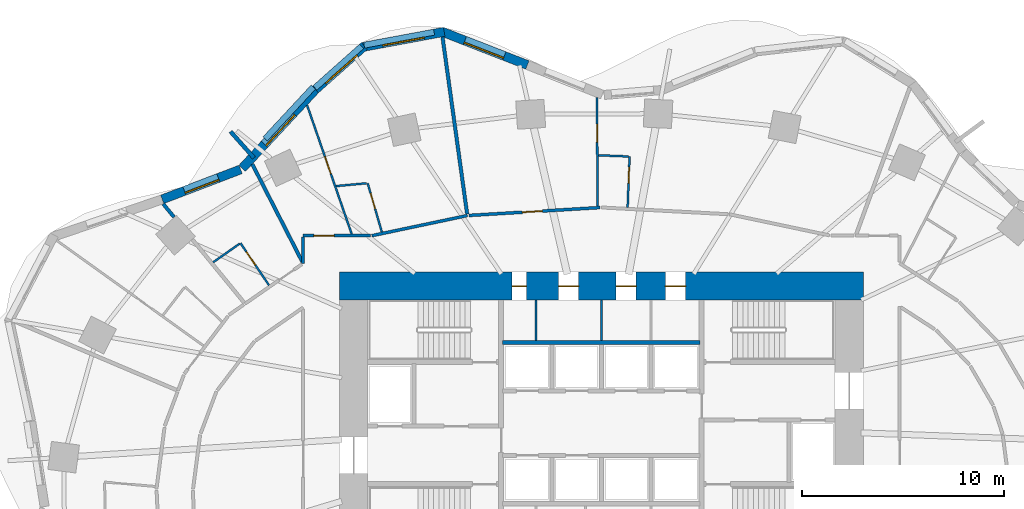
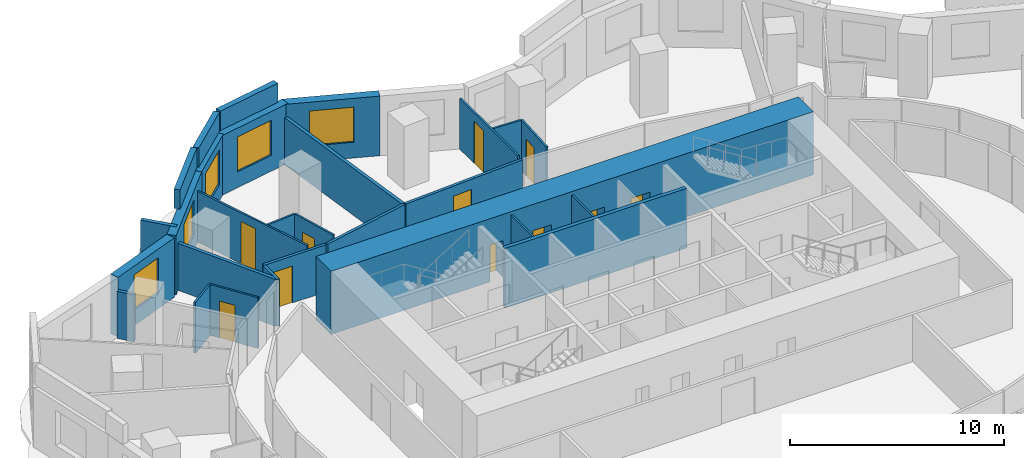
# One storey, part 8 of 11: 28 walls, 11 doors, 5 windows, 16 openings.
"""IFC4 building model written with IfcOpenShell, lengths in metres."""

import ifcopenshell
import ifcopenshell.guid

model = None  # the IFC model being written
_history = None  # IfcOwnerHistory: only IFC2X3 demands one
_inside = {}  # id of a spatial element -> (the spatial element, [elements in it])
_under = {}  # id of a project, library or spatial element -> (it, [spatial elements below it])
_declared = {}  # id of a project -> (the project, [libraries it declares])
_typed = {}  # id of a type object -> (the type object, [elements of that type])
_made_of = {}  # id of a material, layer set ... -> (it, [elements and type objects made of it])


def new_model(schema):
    """Start an empty IFC model of exactly this schema.

    Asked for "IFC4X3", IfcOpenShell would pick the latest addendum, in which some entities
    have other attributes; the version numbers below select the first issue.
    IFC2X3 requires an IfcOwnerHistory on every rooted entity: one is made here for all.
    """
    global model, _history
    if schema == "IFC4X3":
        model = ifcopenshell.file(schema_version=(4, 3, 0, 0))
    else:
        model = ifcopenshell.file(schema=schema)
    _inside.clear()
    _under.clear()
    _declared.clear()
    _typed.clear()
    _made_of.clear()
    _history = None
    if model.schema == "IFC2X3":
        org = make("IfcOrganization", Name="unknown")
        user = make(
            "IfcPersonAndOrganization",
            ThePerson=make("IfcPerson", FamilyName="unknown"),
            TheOrganization=org,
        )
        app = make(
            "IfcApplication",
            ApplicationDeveloper=org,
            Version="unknown",
            ApplicationFullName="unknown",
            ApplicationIdentifier="unknown",
        )
        _history = make(
            "IfcOwnerHistory",
            OwningUser=user,
            OwningApplication=app,
            ChangeAction="ADDED",
            CreationDate=0,
        )
    return model


def make(cls, **values):
    """One entity of the class cls with the attributes given. An attribute that is None is left unset."""
    return model.create_entity(
        cls, **{name: value for name, value in values.items() if value is not None}
    )


def rooted(cls, **values):
    """An entity with a GlobalId (a new one), such as an element, a storey or a relation."""
    return make(cls, GlobalId=ifcopenshell.guid.new(), OwnerHistory=_history, **values)


def si_unit(unit_type, name, prefix=None):
    """IfcSIUnit, for example si_unit("LENGTHUNIT", "METRE", prefix="MILLI")."""
    return make("IfcSIUnit", UnitType=unit_type, Prefix=prefix, Name=name)


def assignment(units):
    """IfcUnitAssignment: the units of a project."""
    return None if units is None else make("IfcUnitAssignment", Units=units)


def point(xyz):
    """IfcCartesianPoint."""
    return None if xyz is None else make("IfcCartesianPoint", Coordinates=xyz)


def direction(xyz):
    """IfcDirection."""
    return None if xyz is None else make("IfcDirection", DirectionRatios=xyz)


def frame(location, z_axis=None, x_axis=None):
    """IfcAxis2Placement3D, a coordinate frame: its origin and axes. An axis left out is left unset."""
    return make(
        "IfcAxis2Placement3D",
        Location=point(location),
        Axis=direction(z_axis),
        RefDirection=direction(x_axis),
    )


def frame_2d(location, x_axis=None):
    """IfcAxis2Placement2D, a coordinate frame in the plane: its origin and x axis."""
    return make(
        "IfcAxis2Placement2D", Location=point(location), RefDirection=direction(x_axis)
    )


def origin():
    """The frame at (0, 0, 0) with its axes left unset."""
    return frame((0.0, 0.0, 0.0))


def place(relative_to, where):
    """IfcLocalPlacement: puts the frame where relative to a parent placement (None: the world)."""
    return make(
        "IfcLocalPlacement", PlacementRelTo=relative_to, RelativePlacement=where
    )


def context(
    kind, dimensions, precision=None, world=None, true_north=None, identifier=None
):
    """IfcGeometricRepresentationContext, for example the 3D "Model" context."""
    return make(
        "IfcGeometricRepresentationContext",
        ContextIdentifier=identifier,
        ContextType=kind,
        CoordinateSpaceDimension=dimensions,
        Precision=precision,
        WorldCoordinateSystem=world,
        TrueNorth=true_north,
    )


def subcontext(parent, identifier, kind, view, scale=None):
    """IfcGeometricRepresentationSubContext, for example "Body" below "Model"."""
    return make(
        "IfcGeometricRepresentationSubContext",
        ContextIdentifier=identifier,
        ContextType=kind,
        ParentContext=parent,
        TargetScale=scale,
        TargetView=view,
    )


def project(units=None, contexts=None):
    """IfcProject with its units and contexts."""
    return rooted(
        "IfcProject",
        Name="project",
        RepresentationContexts=contexts,
        UnitsInContext=assignment(units),
    )


def spatial(cls, under=None, at=None, **own):
    """A site, building, storey or space (cls), placed at a placement, below another one or the project."""
    s = rooted(cls, ObjectPlacement=at, **own)
    if under is not None:
        _under.setdefault(under.id(), (under, []))[1].append(s)
    return s


def profile(cls, at=None, kind="AREA", **sizes):
    """A parametric profile (cls). Its sizes go by their IFC names, for example OverallWidth=200.0."""
    return make(cls, ProfileType=kind, Position=at, **sizes)


def rectangle(**sizes):
    """IfcRectangleProfileDef."""
    return profile("IfcRectangleProfileDef", **sizes)


def extrude(swept, where, along, depth):
    """IfcExtrudedAreaSolid: the profile swept, set in the frame where, extruded along a direction by depth."""
    return make(
        "IfcExtrudedAreaSolid",
        SweptArea=swept,
        Position=where,
        ExtrudedDirection=direction(along),
        Depth=depth,
    )


def shape(context_of_items, identifier, shape_type, items):
    """IfcShapeRepresentation: the items that make up one representation, for example the "Body"."""
    return make(
        "IfcShapeRepresentation",
        ContextOfItems=context_of_items,
        RepresentationIdentifier=identifier,
        RepresentationType=shape_type,
        Items=items,
    )


def material(Name=None, Category=None):
    """IfcMaterial."""
    return make("IfcMaterial", Name=Name, Category=Category)


def layer(
    of_material, thickness, ventilated=None, Name=None, Category=None, Priority=None
):
    """IfcMaterialLayer: one layer of a wall or slab, of a material (None: an air gap)."""
    return make(
        "IfcMaterialLayer",
        Material=of_material,
        LayerThickness=thickness,
        IsVentilated=ventilated,
        Name=Name,
        Category=Category,
        Priority=Priority,
    )


def layer_set(layers, Name=None):
    """IfcMaterialLayerSet."""
    return make("IfcMaterialLayerSet", MaterialLayers=layers, LayerSetName=Name)


def made_of(thing, what):
    """Note that an element or type object is made of a material, layer set ...; save() writes the relation."""
    if what is not None:
        _made_of.setdefault(what.id(), (what, []))[1].append(thing)
    return thing


def type_object(cls, material=None, **own):
    """A type object (cls), such as IfcWallType, which elements share."""
    return made_of(rooted(cls, **own), material)


def element(
    cls,
    number,
    at=None,
    inside=None,
    cuts=None,
    type_object=None,
    material=None,
    context=None,
    identifier="Body",
    shape_type=None,
    held_by="IfcProductDefinitionShape",
    body=None,
    shapes=None,
    **own,
):
    """One element of the class cls, such as IfcWall. Its Tag is "e" and its number.

    at: its placement. inside: the storey or other place that contains it. cuts: it is an
    opening in that element (IfcRelVoidsElement). A single representation is given by context,
    identifier, shape_type and body (its items); several are given by shapes. held_by: the class
    of the entity that holds the representations. save() writes the other relations.
    """
    e = rooted(cls, Tag="e%d" % number, ObjectPlacement=at, **own)
    if body is not None:
        shapes = [shape(context, identifier, shape_type, body)]
    if shapes is not None:
        e.Representation = make(held_by, Representations=shapes)
    if inside is not None:
        _inside.setdefault(inside.id(), (inside, []))[1].append(e)
    if cuts is not None:
        rooted(
            "IfcRelVoidsElement", RelatingBuildingElement=cuts, RelatedOpeningElement=e
        )
    if type_object is not None:
        _typed.setdefault(type_object.id(), (type_object, []))[1].append(e)
    return made_of(e, material)


def fill(opening, filler):
    """IfcRelFillsElement: the door or window that sits in an opening."""
    return rooted(
        "IfcRelFillsElement",
        RelatingOpeningElement=opening,
        RelatedBuildingElement=filler,
    )


def aggregate(whole, parts):
    """IfcRelAggregates: a whole, such as a stair, and the parts it consists of."""
    return rooted("IfcRelAggregates", RelatingObject=whole, RelatedObjects=parts)


def save(model, path):
    """Write the relations noted so far, then the file.

    IfcRelAggregates (storeys below a building ...), IfcRelContainedInSpatialStructure (elements
    in a storey), IfcRelDefinesByType, IfcRelAssociatesMaterial and IfcRelDeclares: one each for
    every whole, place, type object, material and project.
    """
    for whole, parts in _under.values():
        aggregate(whole, parts)
    for where, things in _inside.values():
        rooted(
            "IfcRelContainedInSpatialStructure",
            RelatedElements=things,
            RelatingStructure=where,
        )
    for kind, things in _typed.values():
        rooted("IfcRelDefinesByType", RelatedObjects=things, RelatingType=kind)
    for what, things in _made_of.values():
        rooted("IfcRelAssociatesMaterial", RelatedObjects=things, RelatingMaterial=what)
    for by, libraries in _declared.values():
        rooted("IfcRelDeclares", RelatingContext=by, RelatedDefinitions=libraries)
    model.write(path)


model = new_model("IFC4")

# Units and contexts
model_context = context("Model", 3, precision=1e-05, world=origin(), true_north=direction((0.0, 1.0)))
body_context = subcontext(model_context, "Body", "Model", "MODEL_VIEW")
ifc_project = project(units=[si_unit("LENGTHUNIT", "METRE"), si_unit("AREAUNIT", "SQUARE_METRE"), si_unit("VOLUMEUNIT", "CUBIC_METRE"), si_unit("PLANEANGLEUNIT", "RADIAN"), si_unit("MASSUNIT", "GRAM", prefix="KILO")], contexts=[model_context])

# Site, building, storey
site_placement = place(None, origin())
site = spatial("IfcSite", under=ifc_project, at=site_placement, CompositionType="ELEMENT")
building_placement = place(site_placement, origin())
building = spatial("IfcBuilding", under=site, at=building_placement, Name="Rubra Terraces Tower", CompositionType="ELEMENT")
storey_placement = place(building_placement, frame((0.0, 0.0, 51.89990234375)))
storey = spatial("IfcBuildingStorey", under=building, at=storey_placement, Name="L10", CompositionType="ELEMENT", Elevation=51.89990234375)

# Walls
ifc_material_1 = material(Name="Twin plasterboard on staggered steel stud, acoustic mineral wool", Category="steel")
ifc_layer_1 = layer(ifc_material_1, 0.175048828125)
ifc_layer_set_1 = layer_set([ifc_layer_1], Name="Twin plasterboard on staggered steel stud, acoustic mineral wool")
wall_type_1 = type_object("IfcWallType", Name="ACOUSTIC PARTY WALL 175", PredefinedType="PARTITIONING", material=ifc_layer_set_1)
wall_1_placement = place(storey_placement, frame((-7.88525390625, 23.66552734375, 0.0), z_axis=(0.0, 0.0, 1.0), x_axis=(0.137796980914, -0.990460494947, 0.0)))
element("IfcWall", 1, at=wall_1_placement, inside=storey, type_object=wall_type_1, Name="PARTITION", PredefinedType="PARTITIONING", context=body_context, shape_type="SweptSolid", body=[
    extrude(rectangle(XDim=8.87646484375, YDim=0.175048828125, at=frame_2d((4.438232421875, 0.0))), origin(), (0.0, 0.0, 1.0), 2.68017578125),
])
wall_2_placement = place(storey_placement, frame((-17.322021484375, 17.347412109375, 0.0), z_axis=(0.0, 0.0, 1.0), x_axis=(0.455858572344, -0.890052224322, 0.0)))
element("IfcWall", 2, at=wall_2_placement, inside=storey, type_object=wall_type_1, Name="PARTITION", PredefinedType="PARTITIONING", context=body_context, shape_type="SweptSolid", body=[
    extrude(rectangle(XDim=5.4541015625, YDim=0.175048828125, at=frame_2d((2.72705078125, 0.0))), origin(), (0.0, 0.0, 1.0), 2.68017578125),
])
wall_3_placement = place(storey_placement, frame((-21.741455078125, 15.376220703125, 0.0), z_axis=(0.0, 0.0, 1.0), x_axis=(0.633882626289, -0.773429257327, 0.0)))
element("IfcWall", 3, at=wall_3_placement, inside=storey, type_object=wall_type_1, Name="PARTITION", PredefinedType="PARTITIONING", context=body_context, shape_type="SweptSolid", body=[
    extrude(rectangle(XDim=0.844970703125, YDim=0.175048828125, at=frame_2d((0.42236328125, 0.0))), origin(), (0.0, 0.0, 1.0), 2.68017578125),
])

# Wall, opening, window
ifc_material_2 = material(Name="Brick masonry red-brown", Category="masonry")
ifc_layer_2 = layer(ifc_material_2, 0.449951171875)
ifc_layer_set_2 = layer_set([ifc_layer_2], Name="Brick masonry red-brown")
wall_type_2 = type_object("IfcWallType", Name="Brick facade wall 450", PredefinedType="SOLIDWALL", material=ifc_layer_set_2)
wall_4_placement = place(storey_placement, frame((-3.671630859375, 22.27001953125, 0.0), z_axis=(0.0, 0.0, 1.0), x_axis=(-0.931791503167, 0.36299393194, 0.0)))
wall_4 = element("IfcWall", 4, at=wall_4_placement, inside=storey, type_object=wall_type_2, Name="Facade wall L10 bay 12", PredefinedType="SOLIDWALL", context=body_context, shape_type="SweptSolid", body=[
    extrude(rectangle(XDim=4.56005859375, YDim=0.449951171875, at=frame_2d((2.280029296875, 0.0))), origin(), (0.0, 0.0, 1.0), 3.400146484375),
])
opening_1_placement = place(wall_4_placement, frame((1.22998046875, 0.0, 0.89990234375)))
opening_1 = element("IfcOpeningElement", 5, at=opening_1_placement, cuts=wall_4, Name="Opening W1", PredefinedType="OPENING", context=body_context, shape_type="SweptSolid", body=[
    extrude(rectangle(XDim=2.10009765625, YDim=2.0, at=frame_2d((1.050048828125, 1.0))), frame((0.0, 0.23486328125, 0.0), z_axis=(0.0, -1.0, 0.0), x_axis=(1.0, 0.0, 0.0)), (0.0, 0.0, 1.0), 0.469970703125),
])
ifc_material_3 = material(Name="Clear glass in aluminium frame", Category="aluminium")
window_type_1 = type_object("IfcWindowType", Name="Fixed deep-set window 2100 x 2000", PartitioningType="SINGLE_PANEL", PredefinedType="WINDOW", material=ifc_material_3)
window_1_placement = place(opening_1_placement, origin())
window_1 = element("IfcWindow", 6, at=window_1_placement, inside=storey, type_object=window_type_1, Name="Window L10 bay 12", OverallHeight=2.0, OverallWidth=2.10009765625, PartitioningType="SINGLE_PANEL", PredefinedType="WINDOW", context=body_context, shape_type="SweptSolid", body=[
    extrude(rectangle(XDim=2.10009765625, YDim=2.0, at=frame_2d((1.050048828125, 1.0))), frame((0.0, 0.135009765625, 0.0), z_axis=(0.0, -1.0, 0.0), x_axis=(1.0, 0.0, 0.0)), (0.0, 0.0, 1.0), 0.06005859375),
])
fill(opening_1, window_1)

wall_5_placement = place(storey_placement, frame((-7.80078125, 23.914794921875, 0.0), z_axis=(0.0, 0.0, 1.0), x_axis=(-0.983186467795, -0.182604407242, 0.0)))
wall_5 = element("IfcWall", 7, at=wall_5_placement, inside=storey, type_object=wall_type_2, Name="Facade wall L10 bay 13", PredefinedType="SOLIDWALL", context=body_context, shape_type="SweptSolid", body=[
    extrude(rectangle(XDim=4.140625, YDim=0.449951171875, at=frame_2d((2.0703125, 0.0))), origin(), (0.0, 0.0, 1.0), 3.400146484375),
])
opening_2_placement = place(wall_5_placement, frame((1.020263671875, 0.0, 0.89990234375)))
opening_2 = element("IfcOpeningElement", 8, at=opening_2_placement, cuts=wall_5, Name="Opening W1", PredefinedType="OPENING", context=body_context, shape_type="SweptSolid", body=[
    extrude(rectangle(XDim=2.10009765625, YDim=2.0, at=frame_2d((1.050048828125, 1.0))), frame((0.0, 0.23486328125, 0.0), z_axis=(0.0, -1.0, 0.0), x_axis=(1.0, 0.0, 0.0)), (0.0, 0.0, 1.0), 0.469970703125),
])
window_2_placement = place(opening_2_placement, origin())
window_2 = element("IfcWindow", 9, at=window_2_placement, inside=storey, type_object=window_type_1, Name="Window L10 bay 13", OverallHeight=2.0, OverallWidth=2.10009765625, PartitioningType="SINGLE_PANEL", PredefinedType="WINDOW", context=body_context, shape_type="SweptSolid", body=[
    extrude(rectangle(XDim=2.10009765625, YDim=2.0, at=frame_2d((1.050048828125, 1.0))), frame((0.0, 0.135009765625, 0.0), z_axis=(0.0, -1.0, 0.0), x_axis=(1.0, 0.0, 0.0)), (0.0, 0.0, 1.0), 0.06005859375),
])
fill(opening_2, window_2)

wall_6_placement = place(storey_placement, frame((-11.763427734375, 23.2119140625, 0.0), z_axis=(0.0, 0.0, 1.0), x_axis=(-0.74723528797, -0.664559571755, 0.0)))
wall_6 = element("IfcWall", 10, at=wall_6_placement, inside=storey, type_object=wall_type_2, Name="Facade wall L10 bay 14", PredefinedType="SOLIDWALL", context=body_context, shape_type="SweptSolid", body=[
    extrude(rectangle(XDim=3.251220703125, YDim=0.449951171875, at=frame_2d((1.62548828125, 0.0))), origin(), (0.0, 0.0, 1.0), 3.400146484375),
])
opening_3_placement = place(wall_6_placement, frame((0.57568359375, 0.0, 0.89990234375)))
opening_3 = element("IfcOpeningElement", 11, at=opening_3_placement, cuts=wall_6, Name="Opening W1", PredefinedType="OPENING", context=body_context, shape_type="SweptSolid", body=[
    extrude(rectangle(XDim=2.10009765625, YDim=2.0, at=frame_2d((1.050048828125, 1.0))), frame((0.0, 0.23486328125, 0.0), z_axis=(0.0, -1.0, 0.0), x_axis=(1.0, 0.0, 0.0)), (0.0, 0.0, 1.0), 0.469970703125),
])
window_3_placement = place(opening_3_placement, origin())
window_3 = element("IfcWindow", 12, at=window_3_placement, inside=storey, type_object=window_type_1, Name="Window L10 bay 14", OverallHeight=2.0, OverallWidth=2.10009765625, PartitioningType="SINGLE_PANEL", PredefinedType="WINDOW", context=body_context, shape_type="SweptSolid", body=[
    extrude(rectangle(XDim=2.10009765625, YDim=2.0, at=frame_2d((1.050048828125, 1.0))), frame((0.0, 0.135009765625, 0.0), z_axis=(0.0, -1.0, 0.0), x_axis=(1.0, 0.0, 0.0)), (0.0, 0.0, 1.0), 0.06005859375),
])
fill(opening_3, window_3)

wall_7_placement = place(storey_placement, frame((-14.177490234375, 21.066162109375, 0.0), z_axis=(0.0, 0.0, 1.0), x_axis=(-0.680847709714, -0.732425010617, 0.0)))
wall_7 = element("IfcWall", 13, at=wall_7_placement, inside=storey, type_object=wall_type_2, Name="Facade wall L10 bay 15", PredefinedType="SOLIDWALL", context=body_context, shape_type="SweptSolid", body=[
    extrude(rectangle(XDim=5.3583984375, YDim=0.449951171875, at=frame_2d((2.67919921875, 0.0))), origin(), (0.0, 0.0, 1.0), 3.400146484375),
])
opening_4_placement = place(wall_7_placement, frame((1.629150390625, 0.0, 0.89990234375)))
opening_4 = element("IfcOpeningElement", 14, at=opening_4_placement, cuts=wall_7, Name="Opening W1", PredefinedType="OPENING", context=body_context, shape_type="SweptSolid", body=[
    extrude(rectangle(XDim=2.10009765625, YDim=2.0, at=frame_2d((1.050048828125, 1.0))), frame((0.0, 0.23486328125, 0.0), z_axis=(0.0, -1.0, 0.0), x_axis=(1.0, 0.0, 0.0)), (0.0, 0.0, 1.0), 0.469970703125),
])
window_4_placement = place(opening_4_placement, origin())
window_4 = element("IfcWindow", 15, at=window_4_placement, inside=storey, type_object=window_type_1, Name="Window L10 bay 15", OverallHeight=2.0, OverallWidth=2.10009765625, PartitioningType="SINGLE_PANEL", PredefinedType="WINDOW", context=body_context, shape_type="SweptSolid", body=[
    extrude(rectangle(XDim=2.10009765625, YDim=2.0, at=frame_2d((1.050048828125, 1.0))), frame((0.0, 0.135009765625, 0.0), z_axis=(0.0, -1.0, 0.0), x_axis=(1.0, 0.0, 0.0)), (0.0, 0.0, 1.0), 0.06005859375),
])
fill(opening_4, window_4)

wall_8_placement = place(storey_placement, frame((-17.9033203125, 17.08740234375, 0.0), z_axis=(0.0, 0.0, 1.0), x_axis=(-0.934145554025, -0.356892258105, 0.0)))
wall_8 = element("IfcWall", 16, at=wall_8_placement, inside=storey, type_object=wall_type_2, Name="Facade wall L10 bay 16", PredefinedType="SOLIDWALL", context=body_context, shape_type="SweptSolid", body=[
    extrude(rectangle(XDim=4.16455078125, YDim=0.449951171875, at=frame_2d((2.082275390625, 0.0))), origin(), (0.0, 0.0, 1.0), 3.400146484375),
])
opening_5_placement = place(wall_8_placement, frame((1.182373046875, 0.0, 0.89990234375)))
opening_5 = element("IfcOpeningElement", 17, at=opening_5_placement, cuts=wall_8, Name="Opening W6", PredefinedType="OPENING", context=body_context, shape_type="SweptSolid", body=[
    extrude(rectangle(XDim=1.800048828125, YDim=2.0, at=frame_2d((0.89990234375, 1.0))), frame((0.0, 0.23486328125, 0.0), z_axis=(0.0, -1.0, 0.0), x_axis=(1.0, 0.0, 0.0)), (0.0, 0.0, 1.0), 0.469970703125),
])
window_type_2 = type_object("IfcWindowType", Name="Fixed deep-set window at wind fin 1800 x 2000", PartitioningType="SINGLE_PANEL", PredefinedType="WINDOW", material=ifc_material_3)
window_5_placement = place(opening_5_placement, origin())
window_5 = element("IfcWindow", 18, at=window_5_placement, inside=storey, type_object=window_type_2, Name="Window L10 bay 16", OverallHeight=2.0, OverallWidth=1.800048828125, PartitioningType="SINGLE_PANEL", PredefinedType="WINDOW", context=body_context, shape_type="SweptSolid", body=[
    extrude(rectangle(XDim=1.800048828125, YDim=2.0, at=frame_2d((0.89990234375, 1.0))), frame((0.0, 0.135009765625, 0.0), z_axis=(0.0, -1.0, 0.0), x_axis=(1.0, 0.0, 0.0)), (0.0, 0.0, 1.0), 0.06005859375),
])
fill(opening_5, window_5)

# Walls
ifc_layer_3 = layer(ifc_material_2, 0.300048828125)
ifc_layer_set_3 = layer_set([ifc_layer_3], Name="Brick masonry red-brown")
wall_type_3 = type_object("IfcWallType", Name="Brick parapet 300", PredefinedType="PARAPET", material=ifc_layer_set_3)
wall_9_placement = place(storey_placement, frame((-8.304443359375, 23.8974609375, 3.60009765625), z_axis=(0.0, 0.0, 1.0), x_axis=(-0.983203460001, -0.182512893356, 0.0)))
element("IfcWall", 19, at=wall_9_placement, inside=storey, type_object=wall_type_3, Name="Parapet L10 bay 13", PredefinedType="PARAPET", context=body_context, shape_type="SweptSolid", body=[
    extrude(rectangle(XDim=3.52880859375, YDim=0.300048828125, at=frame_2d((1.764404296875, 0.0))), origin(), (0.0, 0.0, 1.0), 1.10009765625),
])
wall_10_placement = place(storey_placement, frame((-11.898193359375, 23.1923828125, 3.60009765625), z_axis=(0.0, 0.0, 1.0), x_axis=(-0.74726596591, -0.664525075669, 0.0)))
element("IfcWall", 20, at=wall_10_placement, inside=storey, type_object=wall_type_3, Name="Parapet L10 bay 14", PredefinedType="PARAPET", context=body_context, shape_type="SweptSolid", body=[
    extrude(rectangle(XDim=3.10107421875, YDim=0.300048828125, at=frame_2d((1.550537109375, 0.0))), origin(), (0.0, 0.0, 1.0), 1.10009765625),
])
wall_11_placement = place(storey_placement, frame((-14.293212890625, 21.173583984375, 3.60009765625), z_axis=(0.0, 0.0, 1.0), x_axis=(-0.680821476217, -0.732449395877, 0.0)))
element("IfcWall", 21, at=wall_11_placement, inside=storey, type_object=wall_type_3, Name="Parapet L10 bay 15", PredefinedType="PARAPET", context=body_context, shape_type="SweptSolid", body=[
    extrude(rectangle(XDim=3.513427734375, YDim=0.300048828125, at=frame_2d((1.7568359375, 0.0))), origin(), (0.0, 0.0, 1.0), 1.10009765625),
])
ifc_layer_4 = layer(ifc_material_2, 0.199951171875)
ifc_layer_set_4 = layer_set([ifc_layer_4], Name="Brick masonry red-brown")
wall_type_4 = type_object("IfcWallType", Name="Brick wind fin 200", PredefinedType="SOLIDWALL", material=ifc_layer_set_4)
wall_12_placement = place(storey_placement, frame((-17.239990234375, 17.659912109375, 0.0), z_axis=(0.0, 0.0, 1.0), x_axis=(-0.664017424016, 0.747717099312, 0.0)))
element("IfcWall", 22, at=wall_12_placement, inside=storey, type_object=wall_type_4, Name="Wind fin L10 9", PredefinedType="SOLIDWALL", context=body_context, shape_type="SweptSolid", body=[
    extrude(rectangle(XDim=1.75, YDim=0.199951171875, at=frame_2d((0.875, 0.0))), origin(), (0.0, 0.0, 1.0), 3.400146484375),
])

# Wall, openings, doors
ifc_material_4 = material(Name="Concrete C70", Category="concrete")
ifc_layer_5 = layer(ifc_material_4, 1.39990234375)
ifc_layer_set_5 = layer_set([ifc_layer_5], Name="Concrete C70")
wall_type_5 = type_object("IfcWallType", Name="CORE WALL 1400 C70", PredefinedType="SHEAR", material=ifc_layer_set_5)
wall_13_placement = place(storey_placement, frame((-13.0, 11.300048828125, 0.0), z_axis=(0.0, 0.0, 1.0), x_axis=(1.0, 0.0, 0.0)))
wall_13 = element("IfcWall", 23, at=wall_13_placement, inside=storey, type_object=wall_type_5, Name="CORE WALL N L10", PredefinedType="SHEAR", context=body_context, shape_type="SweptSolid", body=[
    extrude(rectangle(XDim=26.0, YDim=1.39990234375, at=frame_2d((13.0, 0.0))), origin(), (0.0, 0.0, 1.0), 3.60009765625),
])
opening_6_placement = place(wall_13_placement, frame((8.574951171875, 0.0, 0.0)))
opening_6 = element("IfcOpeningElement", 24, at=opening_6_placement, cuts=wall_13, Name="Opening L10.C23", PredefinedType="OPENING", context=body_context, shape_type="SweptSolid", body=[
    extrude(rectangle(XDim=0.699951171875, YDim=2.10009765625, at=frame_2d((0.35009765625, 1.050048828125))), frame((0.0, 0.7099609375, 0.0), z_axis=(0.0, -1.0, 0.0), x_axis=(1.0, 0.0, 0.0)), (0.0, 0.0, 1.0), 1.419921875),
])
opening_7_placement = place(wall_13_placement, frame((10.875, 0.0, 0.0)))
opening_7 = element("IfcOpeningElement", 25, at=opening_7_placement, cuts=wall_13, Name="Opening L10.C24", PredefinedType="OPENING", context=body_context, shape_type="SweptSolid", body=[
    extrude(rectangle(XDim=1.0, YDim=2.10009765625, at=frame_2d((0.5, 1.050048828125))), frame((0.0, 0.7099609375, 0.0), z_axis=(0.0, -1.0, 0.0), x_axis=(1.0, 0.0, 0.0)), (0.0, 0.0, 1.0), 1.419921875),
])
opening_8_placement = place(wall_13_placement, frame((13.72509765625, 0.0, 0.0)))
opening_8 = element("IfcOpeningElement", 26, at=opening_8_placement, cuts=wall_13, Name="Opening L10.C25", PredefinedType="OPENING", context=body_context, shape_type="SweptSolid", body=[
    extrude(rectangle(XDim=1.0, YDim=2.10009765625, at=frame_2d((0.5, 1.050048828125))), frame((0.0, 0.7099609375, 0.0), z_axis=(0.0, -1.0, 0.0), x_axis=(1.0, 0.0, 0.0)), (0.0, 0.0, 1.0), 1.419921875),
])
opening_9_placement = place(wall_13_placement, frame((16.175048828125, 0.0, 0.0)))
opening_9 = element("IfcOpeningElement", 27, at=opening_9_placement, cuts=wall_13, Name="Opening L10.C26", PredefinedType="OPENING", context=body_context, shape_type="SweptSolid", body=[
    extrude(rectangle(XDim=1.0, YDim=2.10009765625, at=frame_2d((0.5, 1.050048828125))), frame((0.0, 0.7099609375, 0.0), z_axis=(0.0, -1.0, 0.0), x_axis=(1.0, 0.0, 0.0)), (0.0, 0.0, 1.0), 1.419921875),
])
ifc_material_5 = material(Name="Painted steel", Category="steel")
door_type_1 = type_object("IfcDoorType", Name="Fire door 1000x2100 single", OperationType="NOTDEFINED", PredefinedType="DOOR", material=ifc_material_5)
door_1_placement = place(opening_7_placement, origin())
door_1 = element("IfcDoor", 28, at=door_1_placement, inside=storey, type_object=door_type_1, Name="Housekeeping store door", OperationType="SINGLE_SWING_RIGHT", OverallHeight=2.10009765625, OverallWidth=1.0, PredefinedType="DOOR", context=body_context, shape_type="SweptSolid", body=[
    extrude(rectangle(XDim=1.0, YDim=2.10009765625, at=frame_2d((0.5, 1.050048828125))), frame((0.0, 0.02490234375, 0.0), z_axis=(0.0, -1.0, 0.0), x_axis=(1.0, 0.0, 0.0)), (0.0, 0.0, 1.0), 0.050048828125),
])
fill(opening_7, door_1)
door_2_placement = place(opening_8_placement, origin())
door_2 = element("IfcDoor", 29, at=door_2_placement, inside=storey, type_object=door_type_1, Name="Ice and vending room door", OperationType="SINGLE_SWING_LEFT", OverallHeight=2.10009765625, OverallWidth=1.0, PredefinedType="DOOR", context=body_context, shape_type="SweptSolid", body=[
    extrude(rectangle(XDim=1.0, YDim=2.10009765625, at=frame_2d((0.5, 1.050048828125))), frame((0.0, 0.02490234375, 0.0), z_axis=(0.0, -1.0, 0.0), x_axis=(1.0, 0.0, 0.0)), (0.0, 0.0, 1.0), 0.050048828125),
])
fill(opening_8, door_2)
door_3_placement = place(opening_9_placement, origin())
door_3 = element("IfcDoor", 30, at=door_3_placement, inside=storey, type_object=door_type_1, Name="General store door", OperationType="SINGLE_SWING_RIGHT", OverallHeight=2.10009765625, OverallWidth=1.0, PredefinedType="DOOR", context=body_context, shape_type="SweptSolid", body=[
    extrude(rectangle(XDim=1.0, YDim=2.10009765625, at=frame_2d((0.5, 1.050048828125))), frame((0.0, 0.02490234375, 0.0), z_axis=(0.0, -1.0, 0.0), x_axis=(1.0, 0.0, 0.0)), (0.0, 0.0, 1.0), 0.050048828125),
])
fill(opening_9, door_3)
door_type_2 = type_object("IfcDoorType", Name="Riser access door 700x2100 single", OperationType="NOTDEFINED", PredefinedType="DOOR", material=ifc_material_5)
door_4_placement = place(opening_6_placement, origin())
door_4 = element("IfcDoor", 31, at=door_4_placement, inside=storey, type_object=door_type_2, Name="Water and drainage riser door", OperationType="SINGLE_SWING_LEFT", OverallHeight=2.10009765625, OverallWidth=0.699951171875, PredefinedType="DOOR", context=body_context, shape_type="SweptSolid", body=[
    extrude(rectangle(XDim=0.699951171875, YDim=2.10009765625, at=frame_2d((0.35009765625, 1.050048828125))), frame((0.0, 0.02490234375, 0.0), z_axis=(0.0, -1.0, 0.0), x_axis=(1.0, 0.0, 0.0)), (0.0, 0.0, 1.0), 0.050048828125),
])
fill(opening_6, door_4)

# Wall
ifc_material_6 = material(Name="Plasterboard on steel stud, mineral wool infill", Category="steel")
ifc_layer_6 = layer(ifc_material_6, 0.14990234375)
ifc_layer_set_6 = layer_set([ifc_layer_6], Name="Plasterboard on steel stud, mineral wool infill")
wall_type_6 = type_object("IfcWallType", Name="CORRIDOR PARTITION 150", PredefinedType="PARTITIONING", material=ifc_layer_set_6)
wall_14_placement = place(storey_placement, frame((-6.65185546875, 14.799560546875, 0.0), z_axis=(0.0, 0.0, 1.0), x_axis=(-0.978460885149, -0.206432304241, 0.0)))
element("IfcWall", 32, at=wall_14_placement, inside=storey, type_object=wall_type_6, Name="PARTITION", PredefinedType="PARTITIONING", context=body_context, shape_type="SweptSolid", body=[
    extrude(rectangle(XDim=4.841796875, YDim=0.14990234375, at=frame_2d((2.4208984375, 0.0))), origin(), (0.0, 0.0, 1.0), 2.68017578125),
])

# Wall, opening, door
wall_15_placement = place(storey_placement, frame((-11.46435546875, 13.800048828125, 0.0), z_axis=(0.0, 0.0, 1.0), x_axis=(-1.0, 0.0, 0.0)))
wall_15 = element("IfcWall", 33, at=wall_15_placement, inside=storey, type_object=wall_type_6, Name="PARTITION", PredefinedType="PARTITIONING", context=body_context, shape_type="SweptSolid", body=[
    extrude(rectangle(XDim=3.335693359375, YDim=0.14990234375, at=frame_2d((1.66796875, 0.0))), origin(), (0.0, 0.0, 1.0), 2.68017578125),
])
opening_10_placement = place(wall_15_placement, frame((1.800048828125, 0.0, 0.0)))
opening_10 = element("IfcOpeningElement", 34, at=opening_10_placement, cuts=wall_15, Name="Opening 10-103", PredefinedType="OPENING", context=body_context, shape_type="SweptSolid", body=[
    extrude(rectangle(XDim=1.0, YDim=2.10009765625, at=frame_2d((0.5, 1.050048828125))), frame((0.0, 0.0849609375, 0.0), z_axis=(0.0, -1.0, 0.0), x_axis=(1.0, 0.0, 0.0)), (0.0, 0.0, 1.0), 0.169921875),
])
ifc_material_7 = material(Name="Painted timber door leaf", Category="wood")
door_type_3 = type_object("IfcDoorType", Name="ROOM DOOR 1000 X 2100", OperationType="SINGLE_SWING_LEFT", PredefinedType="DOOR", material=ifc_material_7)
door_5_placement = place(opening_10_placement, origin())
door_5 = element("IfcDoor", 35, at=door_5_placement, inside=storey, type_object=door_type_3, Name="DOOR 10-103", OperationType="SINGLE_SWING_RIGHT", OverallHeight=2.10009765625, OverallWidth=1.0, PredefinedType="DOOR", context=body_context, shape_type="SweptSolid", body=[
    extrude(rectangle(XDim=1.0, YDim=2.10009765625, at=frame_2d((0.5, 1.050048828125))), frame((0.0, 0.02490234375, 0.0), z_axis=(0.0, -1.0, 0.0), x_axis=(1.0, 0.0, 0.0)), (0.0, 0.0, 1.0), 0.050048828125),
])
fill(opening_10, door_5)

# Wall
wall_16_placement = place(storey_placement, frame((-14.800048828125, 13.72509765625, 0.0), z_axis=(0.0, 0.0, 1.0), x_axis=(-0.001127606876, -0.999999364251, 0.0)))
element("IfcWall", 36, at=wall_16_placement, inside=storey, type_object=wall_type_6, Name="PARTITION", PredefinedType="PARTITIONING", context=body_context, shape_type="SweptSolid", body=[
    extrude(rectangle(XDim=1.299072265625, YDim=0.14990234375, at=frame_2d((0.6494140625, 0.0))), origin(), (0.0, 0.0, 1.0), 2.68017578125),
])

# Wall, opening, door
wall_17_placement = place(storey_placement, frame((-0.074951171875, 15.1953125, 0.0), z_axis=(0.0, 0.0, 1.0), x_axis=(-0.998193444214, -0.060082010028, 0.0)))
wall_17 = element("IfcWall", 37, at=wall_17_placement, inside=storey, type_object=wall_type_6, Name="PARTITION", PredefinedType="PARTITIONING", context=body_context, shape_type="SweptSolid", body=[
    extrude(rectangle(XDim=6.513671875, YDim=0.14990234375, at=frame_2d((3.2568359375, 0.0))), origin(), (0.0, 0.0, 1.0), 2.68017578125),
])
opening_11_placement = place(wall_17_placement, frame((2.85888671875, 0.0, 0.0)))
opening_11 = element("IfcOpeningElement", 38, at=opening_11_placement, cuts=wall_17, Name="Opening 10-134", PredefinedType="OPENING", context=body_context, shape_type="SweptSolid", body=[
    extrude(rectangle(XDim=1.0, YDim=2.10009765625, at=frame_2d((0.5, 1.050048828125))), frame((0.0, 0.0849609375, 0.0), z_axis=(0.0, -1.0, 0.0), x_axis=(1.0, 0.0, 0.0)), (0.0, 0.0, 1.0), 0.169921875),
])
door_6_placement = place(opening_11_placement, origin())
door_6 = element("IfcDoor", 39, at=door_6_placement, inside=storey, type_object=door_type_3, Name="DOOR 10-134", OperationType="SINGLE_SWING_RIGHT", OverallHeight=2.10009765625, OverallWidth=1.0, PredefinedType="DOOR", context=body_context, shape_type="SweptSolid", body=[
    extrude(rectangle(XDim=1.0, YDim=2.10009765625, at=frame_2d((0.5, 1.050048828125))), frame((0.0, 0.02490234375, 0.0), z_axis=(0.0, -1.0, 0.0), x_axis=(1.0, 0.0, 0.0)), (0.0, 0.0, 1.0), 0.050048828125),
])
fill(opening_11, door_6)

# Wall
ifc_material_8 = material(Name="Concrete C30", Category="concrete")
ifc_layer_7 = layer(ifc_material_8, 0.199951171875)
ifc_layer_set_7 = layer_set([ifc_layer_7], Name="Concrete C30")
wall_type_7 = type_object("IfcWallType", Name="Core wall 200 concrete", PredefinedType="SOLIDWALL", material=ifc_layer_set_7)
wall_18_placement = place(storey_placement, frame((-4.89990234375, 8.5, 0.0), z_axis=(0.0, 0.0, 1.0), x_axis=(1.0, 0.0, 0.0)))
element("IfcWall", 40, at=wall_18_placement, inside=storey, type_object=wall_type_7, Name="LIFT SHAFT WALL L10", PredefinedType="SOLIDWALL", context=body_context, shape_type="SweptSolid", body=[
    extrude(rectangle(XDim=9.7998046875, YDim=0.199951171875, at=frame_2d((4.89990234375, 0.0))), origin(), (0.0, 0.0, 1.0), 3.400146484375),
])

# Wall, opening, door
ifc_material_9 = material(Name="Plasterboard on steel stud", Category="steel")
ifc_layer_8 = layer(ifc_material_9, 0.10009765625)
ifc_layer_set_8 = layer_set([ifc_layer_8], Name="Plasterboard on steel stud")
wall_type_8 = type_object("IfcWallType", Name="ROOM PARTITION 100", PredefinedType="PARTITIONING", material=ifc_layer_set_8)
wall_19_placement = place(storey_placement, frame((-14.603271484375, 20.27197265625, 0.0), z_axis=(0.0, 0.0, 1.0), x_axis=(0.327245485349, -0.94493935907, 0.0)))
wall_19 = element("IfcWall", 41, at=wall_19_placement, inside=storey, type_object=wall_type_8, Name="PARTITION", PredefinedType="PARTITIONING", context=body_context, shape_type="SweptSolid", body=[
    extrude(rectangle(XDim=6.774169921875, YDim=0.10009765625, at=frame_2d((3.38720703125, 0.0))), origin(), (0.0, 0.0, 1.0), 2.898193359375),
])
opening_12_placement = place(wall_19_placement, frame((2.698974609375, 0.0, 0.0)))
opening_12 = element("IfcOpeningElement", 42, at=opening_12_placement, cuts=wall_19, Name="Opening 10-102", PredefinedType="OPENING", context=body_context, shape_type="SweptSolid", body=[
    extrude(rectangle(XDim=0.89990234375, YDim=2.39990234375, at=frame_2d((0.449951171875, 1.199951171875))), frame((0.0, 0.06005859375, 0.0), z_axis=(0.0, -1.0, 0.0), x_axis=(1.0, 0.0, 0.0)), (0.0, 0.0, 1.0), 0.1201171875),
])
ifc_material_10 = material(Name="Veneered timber door leaf, fire-rated", Category="wood")
door_type_4 = type_object("IfcDoorType", Name="SUITE ENTRANCE DOOR 900 X 2400", OperationType="SINGLE_SWING_LEFT", PredefinedType="DOOR", material=ifc_material_10)
door_7_placement = place(opening_12_placement, origin())
door_7 = element("IfcDoor", 43, at=door_7_placement, inside=storey, type_object=door_type_4, Name="DOOR 10-102", OperationType="SINGLE_SWING_LEFT", OverallHeight=2.39990234375, OverallWidth=0.89990234375, PredefinedType="DOOR", context=body_context, shape_type="SweptSolid", body=[
    extrude(rectangle(XDim=0.89990234375, YDim=2.39990234375, at=frame_2d((0.449951171875, 1.199951171875))), frame((0.0, 0.02490234375, 0.0), z_axis=(0.0, -1.0, 0.0), x_axis=(1.0, 0.0, 0.0)), (0.0, 0.0, 1.0), 0.050048828125),
])
fill(opening_12, door_7)

wall_20_placement = place(storey_placement, frame((-10.894287109375, 13.98095703125, 0.0), z_axis=(0.0, 0.0, 1.0), x_axis=(-0.279443000738, 0.960162282814, 0.0)))
wall_20 = element("IfcWall", 44, at=wall_20_placement, inside=storey, type_object=wall_type_8, Name="PARTITION", PredefinedType="PARTITIONING", context=body_context, shape_type="SweptSolid", body=[
    extrude(rectangle(XDim=2.52490234375, YDim=0.10009765625, at=frame_2d((1.262451171875, 0.0))), origin(), (0.0, 0.0, 1.0), 2.898193359375),
])
opening_13_placement = place(wall_20_placement, frame((1.199951171875, 0.0, 0.0)))
opening_13 = element("IfcOpeningElement", 45, at=opening_13_placement, cuts=wall_20, Name="Opening 10-101", PredefinedType="OPENING", context=body_context, shape_type="SweptSolid", body=[
    extrude(rectangle(XDim=0.800048828125, YDim=2.10009765625, at=frame_2d((0.39990234375, 1.050048828125))), frame((0.0, 0.06005859375, 0.0), z_axis=(0.0, -1.0, 0.0), x_axis=(1.0, 0.0, 0.0)), (0.0, 0.0, 1.0), 0.1201171875),
])
door_type_5 = type_object("IfcDoorType", Name="BATHROOM DOOR 800 X 2100", OperationType="SINGLE_SWING_LEFT", PredefinedType="DOOR", material=ifc_material_7)
door_8_placement = place(opening_13_placement, origin())
door_8 = element("IfcDoor", 46, at=door_8_placement, inside=storey, type_object=door_type_5, Name="DOOR 10-101", OperationType="SINGLE_SWING_LEFT", OverallHeight=2.10009765625, OverallWidth=0.800048828125, PredefinedType="DOOR", context=body_context, shape_type="SweptSolid", body=[
    extrude(rectangle(XDim=0.800048828125, YDim=2.10009765625, at=frame_2d((0.39990234375, 1.050048828125))), frame((0.0, 0.02490234375, 0.0), z_axis=(0.0, -1.0, 0.0), x_axis=(1.0, 0.0, 0.0)), (0.0, 0.0, 1.0), 0.050048828125),
])
fill(opening_13, door_8)

# Wall
wall_21_placement = place(storey_placement, frame((-11.649658203125, 16.400634765625, 0.0), z_axis=(0.0, 0.0, 1.0), x_axis=(-0.995799189088, -0.091564048682, 0.0)))
element("IfcWall", 47, at=wall_21_placement, inside=storey, type_object=wall_type_8, Name="PARTITION", PredefinedType="PARTITIONING", context=body_context, shape_type="SweptSolid", body=[
    extrude(rectangle(XDim=1.519775390625, YDim=0.10009765625, at=frame_2d((0.759765625, 0.0))), origin(), (0.0, 0.0, 1.0), 2.898193359375),
])

# Wall, opening, door
wall_22_placement = place(storey_placement, frame((-16.492919921875, 11.341796875, 0.0), z_axis=(0.0, 0.0, 1.0), x_axis=(-0.560910145084, 0.827876687159, 0.0)))
wall_22 = element("IfcWall", 48, at=wall_22_placement, inside=storey, type_object=wall_type_8, Name="PARTITION", PredefinedType="PARTITIONING", context=body_context, shape_type="SweptSolid", body=[
    extrude(rectangle(XDim=2.52490234375, YDim=0.10009765625, at=frame_2d((1.262451171875, 0.0))), origin(), (0.0, 0.0, 1.0), 2.898193359375),
])
opening_14_placement = place(wall_22_placement, frame((1.199951171875, 0.0, 0.0)))
opening_14 = element("IfcOpeningElement", 49, at=opening_14_placement, cuts=wall_22, Name="Opening 10-104", PredefinedType="OPENING", context=body_context, shape_type="SweptSolid", body=[
    extrude(rectangle(XDim=0.800048828125, YDim=2.10009765625, at=frame_2d((0.39990234375, 1.050048828125))), frame((0.0, 0.06005859375, 0.0), z_axis=(0.0, -1.0, 0.0), x_axis=(1.0, 0.0, 0.0)), (0.0, 0.0, 1.0), 0.1201171875),
])
door_9_placement = place(opening_14_placement, origin())
door_9 = element("IfcDoor", 50, at=door_9_placement, inside=storey, type_object=door_type_5, Name="DOOR 10-104", OperationType="SINGLE_SWING_LEFT", OverallHeight=2.10009765625, OverallWidth=0.800048828125, PredefinedType="DOOR", context=body_context, shape_type="SweptSolid", body=[
    extrude(rectangle(XDim=0.800048828125, YDim=2.10009765625, at=frame_2d((0.39990234375, 1.050048828125))), frame((0.0, 0.02490234375, 0.0), z_axis=(0.0, -1.0, 0.0), x_axis=(1.0, 0.0, 0.0)), (0.0, 0.0, 1.0), 0.050048828125),
])
fill(opening_14, door_9)

# Wall
wall_23_placement = place(storey_placement, frame((-17.949951171875, 13.403564453125, 0.0), z_axis=(0.0, 0.0, 1.0), x_axis=(-0.818576684684, -0.574397259127, 0.0)))
element("IfcWall", 51, at=wall_23_placement, inside=storey, type_object=wall_type_8, Name="PARTITION", PredefinedType="PARTITIONING", context=body_context, shape_type="SweptSolid", body=[
    extrude(rectangle(XDim=1.61181640625, YDim=0.10009765625, at=frame_2d((0.805908203125, 0.0))), origin(), (0.0, 0.0, 1.0), 2.898193359375),
])

# Wall, opening, door
wall_24_placement = place(storey_placement, frame((-0.212890625, 20.656005859375, 0.0), z_axis=(0.0, 0.0, 1.0), x_axis=(0.002218695015, -0.999997538693, 0.0)))
wall_24 = element("IfcWall", 52, at=wall_24_placement, inside=storey, type_object=wall_type_8, Name="PARTITION", PredefinedType="PARTITIONING", context=body_context, shape_type="SweptSolid", body=[
    extrude(rectangle(XDim=5.391845703125, YDim=0.10009765625, at=frame_2d((2.69580078125, 0.0))), origin(), (0.0, 0.0, 1.0), 2.898193359375),
])
opening_15_placement = place(wall_24_placement, frame((1.31689453125, 0.0, 0.0)))
opening_15 = element("IfcOpeningElement", 53, at=opening_15_placement, cuts=wall_24, Name="Opening 10-133", PredefinedType="OPENING", context=body_context, shape_type="SweptSolid", body=[
    extrude(rectangle(XDim=0.89990234375, YDim=2.39990234375, at=frame_2d((0.449951171875, 1.199951171875))), frame((0.0, 0.06005859375, 0.0), z_axis=(0.0, -1.0, 0.0), x_axis=(1.0, 0.0, 0.0)), (0.0, 0.0, 1.0), 0.1201171875),
])
door_10_placement = place(opening_15_placement, origin())
door_10 = element("IfcDoor", 54, at=door_10_placement, inside=storey, type_object=door_type_4, Name="DOOR 10-133", OperationType="SINGLE_SWING_LEFT", OverallHeight=2.39990234375, OverallWidth=0.89990234375, PredefinedType="DOOR", context=body_context, shape_type="SweptSolid", body=[
    extrude(rectangle(XDim=0.89990234375, YDim=2.39990234375, at=frame_2d((0.449951171875, 1.199951171875))), frame((0.0, 0.02490234375, 0.0), z_axis=(0.0, -1.0, 0.0), x_axis=(1.0, 0.0, 0.0)), (0.0, 0.0, 1.0), 0.050048828125),
])
fill(opening_15, door_10)

wall_25_placement = place(storey_placement, frame((1.300048828125, 15.205810546875, 0.0), z_axis=(0.0, 0.0, 1.0), x_axis=(0.037998661973, 0.999277790051, 0.0)))
wall_25 = element("IfcWall", 55, at=wall_25_placement, inside=storey, type_object=wall_type_8, Name="PARTITION", PredefinedType="PARTITIONING", context=body_context, shape_type="SweptSolid", body=[
    extrude(rectangle(XDim=2.52490234375, YDim=0.10009765625, at=frame_2d((1.262451171875, 0.0))), origin(), (0.0, 0.0, 1.0), 2.898193359375),
])
opening_16_placement = place(wall_25_placement, frame((1.199951171875, 0.0, 0.0)))
opening_16 = element("IfcOpeningElement", 56, at=opening_16_placement, cuts=wall_25, Name="Opening 10-132", PredefinedType="OPENING", context=body_context, shape_type="SweptSolid", body=[
    extrude(rectangle(XDim=0.800048828125, YDim=2.10009765625, at=frame_2d((0.39990234375, 1.050048828125))), frame((0.0, 0.06005859375, 0.0), z_axis=(0.0, -1.0, 0.0), x_axis=(1.0, 0.0, 0.0)), (0.0, 0.0, 1.0), 0.1201171875),
])
door_11_placement = place(opening_16_placement, origin())
door_11 = element("IfcDoor", 57, at=door_11_placement, inside=storey, type_object=door_type_5, Name="DOOR 10-132", OperationType="SINGLE_SWING_LEFT", OverallHeight=2.10009765625, OverallWidth=0.800048828125, PredefinedType="DOOR", context=body_context, shape_type="SweptSolid", body=[
    extrude(rectangle(XDim=0.800048828125, YDim=2.10009765625, at=frame_2d((0.39990234375, 1.050048828125))), frame((0.0, 0.02490234375, 0.0), z_axis=(0.0, -1.0, 0.0), x_axis=(1.0, 0.0, 0.0)), (0.0, 0.0, 1.0), 0.050048828125),
])
fill(opening_16, door_11)

# Walls
wall_26_placement = place(storey_placement, frame((1.345947265625, 17.73095703125, 0.0), z_axis=(0.0, 0.0, 1.0), x_axis=(-0.999296246873, 0.037510145113, 0.0)))
element("IfcWall", 58, at=wall_26_placement, inside=storey, type_object=wall_type_8, Name="PARTITION", PredefinedType="PARTITIONING", context=body_context, shape_type="SweptSolid", body=[
    extrude(rectangle(XDim=1.50341796875, YDim=0.10009765625, at=frame_2d((0.751708984375, 0.0))), origin(), (0.0, 0.0, 1.0), 2.898193359375),
])
ifc_material_11 = material(Name="Blockwork", Category="masonry")
ifc_layer_9 = layer(ifc_material_11, 0.10009765625)
ifc_layer_set_9 = layer_set([ifc_layer_9], Name="Blockwork")
wall_type_9 = type_object("IfcWallType", Name="Service partition 100 blockwork", PredefinedType="PARTITIONING", material=ifc_layer_set_9)
for number, where, z_axis, x_axis, name in (
    (59, (-3.25, 8.60009765625, 0.0), (0.0, 0.0, 1.0), (0.0, 1.0, 0.0), "SERVICE ROOM PARTITION L10"),
    (60, (0.0, 8.60009765625, 0.0), (0.0, 0.0, 1.0), (0.0, 1.0, 0.0), "SERVICE ROOM PARTITION L10"),
):
    element("IfcWall", number, at=place(storey_placement, frame(where, z_axis=z_axis, x_axis=x_axis)), inside=storey, type_object=wall_type_9, Name=name, PredefinedType="PARTITIONING", context=body_context, shape_type="SweptSolid", body=[
        extrude(rectangle(XDim=2.0, YDim=0.10009765625, at=frame_2d((1.0, 0.0))), origin(), (0.0, 0.0, 1.0), 3.400146484375),
    ])

save(model, "model.ifc")
